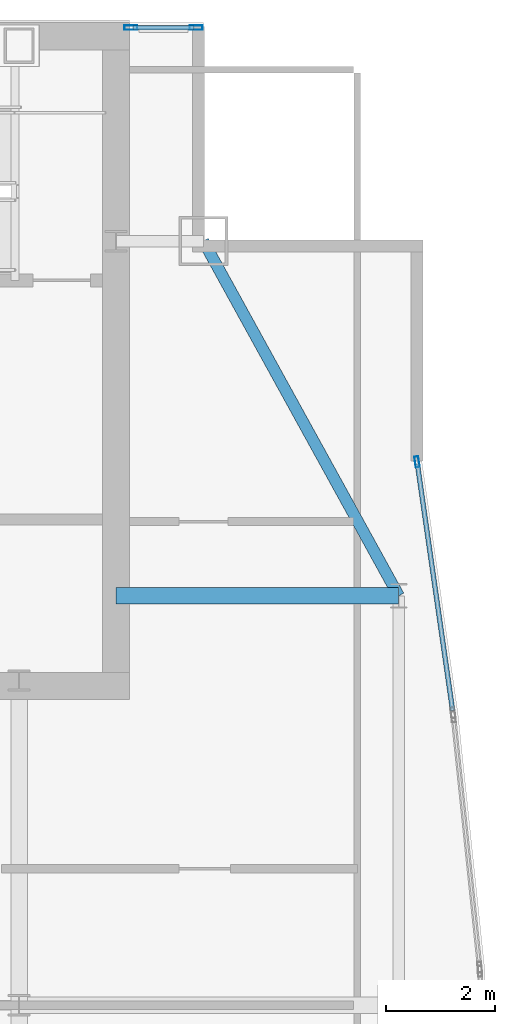
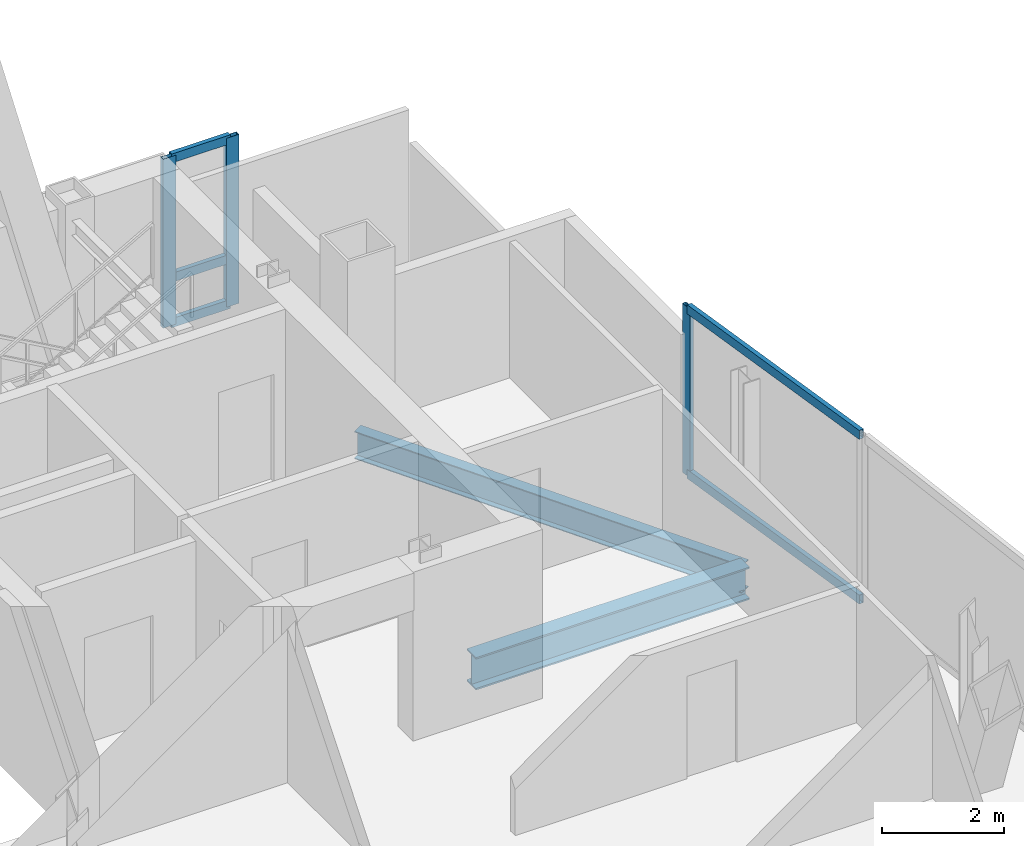
# One storey, part 22 of 29: 8 members, 2 beams, 2 elements without a shape of their own.
"""IFC4 building model written with IfcOpenShell, lengths in metres."""

from ifc_helpers import new_model, si_unit, direction, frame, origin, origin_2d, place, context, subcontext, project, spatial, hollow_rectangle, i_section, extrude, material, material_profile, profile_set, type_object, element, aggregate, save


model = new_model("IFC4")

# Units and contexts
model_context = context("Model", 3, precision=1e-05, world=origin(), true_north=direction((0.0, 1.0)))
body_context = subcontext(model_context, "Body", "Model", "MODEL_VIEW")
ifc_project = project(units=[si_unit("LENGTHUNIT", "METRE"), si_unit("AREAUNIT", "SQUARE_METRE"), si_unit("VOLUMEUNIT", "CUBIC_METRE"), si_unit("PLANEANGLEUNIT", "RADIAN"), si_unit("MASSUNIT", "GRAM", prefix="KILO")], contexts=[model_context])

# Site, building, storey
site_placement = place(None, origin())
site = spatial("IfcSite", under=ifc_project, at=site_placement, CompositionType="ELEMENT")
building_placement = place(site_placement, origin())
building = spatial("IfcBuilding", under=site, at=building_placement, Name="Khoronbel Lancet Exchange", CompositionType="ELEMENT")
storey_placement = place(building_placement, frame((0.0, 0.0, 302.199951171875)))
storey = spatial("IfcBuildingStorey", under=building, at=storey_placement, Name="L78", CompositionType="ELEMENT", Elevation=302.199951171875)

# Beams
ifc_material_1 = material(Name="Steel S355", Category="steel")
ifc_material_profile_1 = material_profile(ifc_material_1, i_section(OverallWidth=0.300048828125, OverallDepth=0.64990234375, WebThickness=0.01611328125, FlangeThickness=0.031005859375, at=origin_2d()), Name="HEB 650")
ifc_profile_set_1 = profile_set([ifc_material_profile_1], Name="Steel S355")
beam_type_1 = type_object("IfcBeamType", Name="BM-BG4", PredefinedType="BEAM", material=ifc_profile_set_1)
beam_1_placement = place(storey_placement, frame((56.449951171875, 43.199951171875, -0.48486328125), z_axis=(1.0, 0.0, 0.0), x_axis=(0.0, 1.0, 0.0)))
element("IfcBeam", 1, at=beam_1_placement, inside=storey, type_object=beam_type_1, Name="Level L78 east lens tie girder LG3E", PredefinedType="BEAM", context=body_context, shape_type="SweptSolid", body=[
    extrude(i_section(OverallWidth=0.300048828125, OverallDepth=0.64990234375, WebThickness=0.01611328125, FlangeThickness=0.031005859375, at=origin_2d()), origin(), (0.0, 0.0, 1.0), 5.179931640625),
])
ifc_material_profile_2 = material_profile(ifc_material_1, i_section(OverallWidth=0.2099609375, OverallDepth=0.550048828125, WebThickness=0.010986328125, FlangeThickness=0.01708984375, at=origin_2d()), Name="IPE 550")
ifc_profile_set_2 = profile_set([ifc_material_profile_2], Name="Steel S355")
beam_type_2 = type_object("IfcBeamType", Name="BM-BSP3", PredefinedType="SPANDREL", material=ifc_profile_set_2)
beam_2_placement = place(storey_placement, frame((61.6298828125, 43.199951171875, -0.43505859375), z_axis=(-0.482418808117, 0.875940690672, 0.0), x_axis=(-0.875940690672, -0.482418808117, 0.0)))
element("IfcBeam", 2, at=beam_2_placement, inside=storey, type_object=beam_type_2, Name="Level L78 perimeter spandrel beam SP15", PredefinedType="SPANDREL", context=body_context, shape_type="SweptSolid", body=[
    extrude(i_section(OverallWidth=0.2099609375, OverallDepth=0.550048828125, WebThickness=0.010986328125, FlangeThickness=0.01708984375, at=origin_2d()), origin(), (0.0, 0.0, 1.0), 7.420654296875),
])

# Curtain wall, members
ifc_material_2 = material(Name="Low-E Solar Control Insulating Glass", Category="glass")
curtain_wall_type_1 = type_object("IfcCurtainWallType", Name="CW-3", PredefinedType="NOTDEFINED", material=ifc_material_2)
curtain_wall_1_placement = place(storey_placement, origin())
curtain_wall_1 = element("IfcCurtainWall", 3, at=curtain_wall_1_placement, inside=storey, type_object=curtain_wall_type_1, Name="Unitised curtain wall CW-L78-NEFLK", PredefinedType="NOTDEFINED")
ifc_material_3 = material(Name="Bronze-Anodised Aluminium 6063-T6", Category="aluminium")
ifc_material_profile_3 = material_profile(ifc_material_3, hollow_rectangle(XDim=0.0849609375, YDim=0.239990234375, WallThickness=0.006103515625, at=origin_2d()), Name="ALU MULLION 85x240")
ifc_profile_set_3 = profile_set([ifc_material_profile_3], Name="Bronze-Anodised Aluminium 6063-T6")
member_type_1 = type_object("IfcMemberType", Name="MEM-CWM1", PredefinedType="MULLION", material=ifc_profile_set_3)
member_1_placement = place(storey_placement, frame((57.91748046875, 53.610107421875, 0.0), z_axis=(0.0, 0.0, 1.0), x_axis=(0.0, -1.0, 0.0)))
member_1 = element("IfcMember", 4, at=member_1_placement, type_object=member_type_1, Name="CW3 mullion 1", PredefinedType="MULLION", context=body_context, shape_type="SweptSolid", body=[
    extrude(hollow_rectangle(XDim=0.0849609375, YDim=0.239990234375, WallThickness=0.006103515625, at=origin_2d()), origin(), (0.0, 0.0, 1.0), 3.380126953125),
])
member_2_placement = place(storey_placement, frame((56.722412109375, 53.610107421875, 0.0), z_axis=(0.0, 0.0, 1.0), x_axis=(0.0, -1.0, 0.0)))
member_2 = element("IfcMember", 5, at=member_2_placement, type_object=member_type_1, Name="CW3 mullion 2", PredefinedType="MULLION", context=body_context, shape_type="SweptSolid", body=[
    extrude(hollow_rectangle(XDim=0.0849609375, YDim=0.239990234375, WallThickness=0.006103515625, at=origin_2d()), origin(), (0.0, 0.0, 1.0), 3.380126953125),
])

# Curtain wall, member
curtain_wall_type_2 = type_object("IfcCurtainWallType", Name="CW-4", PredefinedType="NOTDEFINED", material=ifc_material_2)
curtain_wall_2_placement = place(storey_placement, origin())
curtain_wall_2 = element("IfcCurtainWall", 6, at=curtain_wall_2_placement, inside=storey, type_object=curtain_wall_type_2, Name="Unitised curtain wall CW-L78-E17", PredefinedType="NOTDEFINED")
ifc_material_profile_4 = material_profile(ifc_material_3, hollow_rectangle(XDim=0.074951171875, YDim=0.199951171875, WallThickness=0.0048828125, at=origin_2d()), Name="ALU MULLION 75x200")
ifc_profile_set_4 = profile_set([ifc_material_profile_4], Name="Bronze-Anodised Aluminium 6063-T6")
member_type_2 = type_object("IfcMemberType", Name="MEM-CWM2", PredefinedType="MULLION", material=ifc_profile_set_4)
member_3_placement = place(storey_placement, frame((61.96533203125, 45.656494140625, 0.0), z_axis=(0.0, 0.0, 1.0), x_axis=(0.989929988267, 0.141557826802, 0.0)))
member_3 = element("IfcMember", 7, at=member_3_placement, type_object=member_type_2, Name="CW4 mullion 1", PredefinedType="MULLION", context=body_context, shape_type="SweptSolid", body=[
    extrude(hollow_rectangle(XDim=0.074951171875, YDim=0.199951171875, WallThickness=0.0048828125, at=origin_2d()), origin(), (0.0, 0.0, 1.0), 3.380126953125),
])

# Member
ifc_material_profile_5 = material_profile(ifc_material_3, hollow_rectangle(XDim=0.0849609375, YDim=0.179931640625, WallThickness=0.0048828125, at=origin_2d()), Name="ALU TRANSOM 85x180")
ifc_profile_set_5 = profile_set([ifc_material_profile_5], Name="Bronze-Anodised Aluminium 6063-T6")
member_type_3 = type_object("IfcMemberType", Name="MEM-CWT1", PredefinedType="USERDEFINED", material=ifc_profile_set_5)
member_4_placement = place(storey_placement, frame((57.875, 53.610107421875, 0.04248046875), z_axis=(-1.0, 0.0, 0.0), x_axis=(0.0, -1.0, 0.0)))
member_4 = element("IfcMember", 8, at=member_4_placement, type_object=member_type_3, Name="CW3 transom 1.1", ObjectType="TRANSOM", PredefinedType="USERDEFINED", context=body_context, shape_type="SweptSolid", body=[
    extrude(hollow_rectangle(XDim=0.0849609375, YDim=0.179931640625, WallThickness=0.0048828125, at=origin_2d()), origin(), (0.0, 0.0, 1.0), 1.110107421875),
])

member_5_placement = place(storey_placement, frame((57.875, 53.610107421875, 0.949951171875), z_axis=(-1.0, 0.0, 0.0), x_axis=(0.0, -1.0, 0.0)))
member_5 = element("IfcMember", 9, at=member_5_placement, type_object=member_type_3, Name="CW3 transom 1.2", ObjectType="TRANSOM", PredefinedType="USERDEFINED", context=body_context, shape_type="SweptSolid", body=[
    extrude(hollow_rectangle(XDim=0.0849609375, YDim=0.179931640625, WallThickness=0.0048828125, at=origin_2d()), origin(), (0.0, 0.0, 1.0), 1.110107421875),
])

member_6_placement = place(storey_placement, frame((57.875, 53.610107421875, 3.337646484375), z_axis=(-1.0, 0.0, 0.0), x_axis=(0.0, -1.0, 0.0)))
member_6 = element("IfcMember", 10, at=member_6_placement, type_object=member_type_3, Name="CW3 transom 1.3", ObjectType="TRANSOM", PredefinedType="USERDEFINED", context=body_context, shape_type="SweptSolid", body=[
    extrude(hollow_rectangle(XDim=0.0849609375, YDim=0.179931640625, WallThickness=0.0048828125, at=origin_2d()), origin(), (0.0, 0.0, 1.0), 1.110107421875),
])

aggregate(curtain_wall_1, [member_1, member_2, member_4, member_5, member_6])

member_7_placement = place(storey_placement, frame((61.970703125, 45.619384765625, 0.04248046875), z_axis=(0.141548529665, -0.989931317693, 0.0), x_axis=(0.989931317693, 0.141548529665, 0.0)))
member_7 = element("IfcMember", 11, at=member_7_placement, type_object=member_type_3, Name="CW4 transom 1.1", ObjectType="TRANSOM", PredefinedType="USERDEFINED", context=body_context, shape_type="SweptSolid", body=[
    extrude(hollow_rectangle(XDim=0.0849609375, YDim=0.179931640625, WallThickness=0.0048828125, at=origin_2d()), origin(), (0.0, 0.0, 1.0), 4.56884765625),
])

member_8_placement = place(storey_placement, frame((61.970703125, 45.619384765625, 3.337646484375), z_axis=(0.141548529665, -0.989931317693, 0.0), x_axis=(0.989931317693, 0.141548529665, 0.0)))
member_8 = element("IfcMember", 12, at=member_8_placement, type_object=member_type_3, Name="CW4 transom 1.2", ObjectType="TRANSOM", PredefinedType="USERDEFINED", context=body_context, shape_type="SweptSolid", body=[
    extrude(hollow_rectangle(XDim=0.0849609375, YDim=0.179931640625, WallThickness=0.0048828125, at=origin_2d()), origin(), (0.0, 0.0, 1.0), 4.56884765625),
])

aggregate(curtain_wall_2, [member_3, member_7, member_8])

save(model, "model.ifc")
